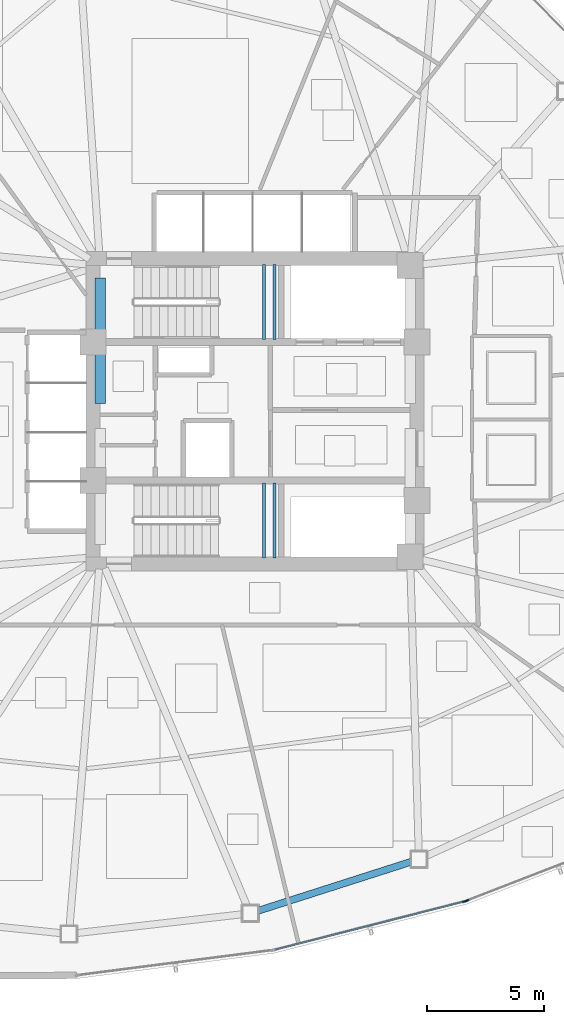
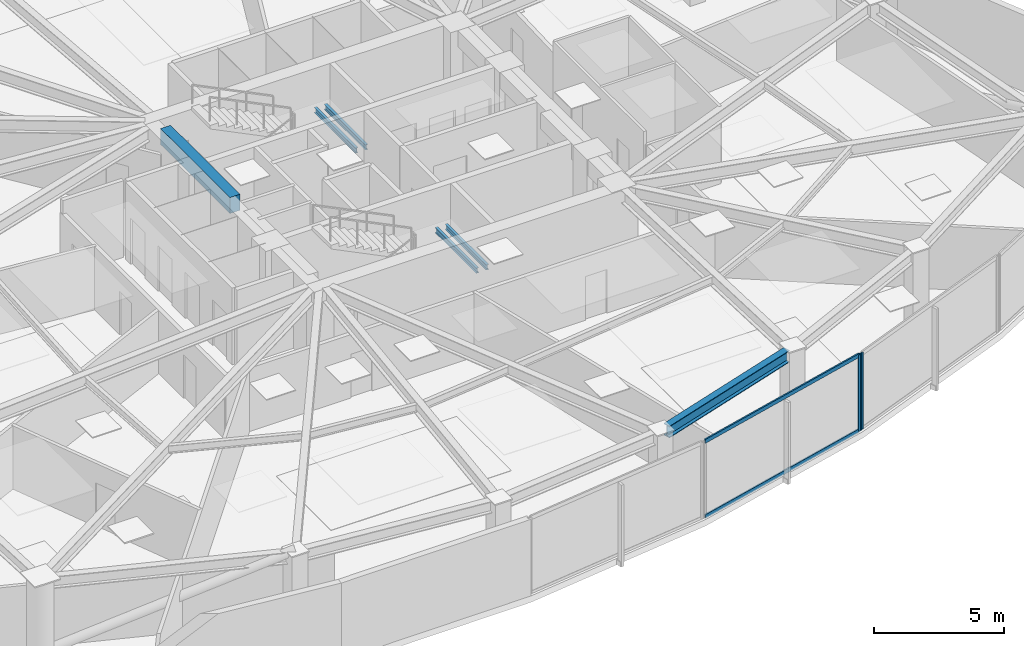
# One storey, part 5 of 17: 6 beams, 4 members, 2 elements without a shape of their own.
"""IFC4 building model written with IfcOpenShell, lengths in metres."""

from ifc_helpers import new_model, si_unit, direction, frame, origin, origin_2d, place, context, subcontext, project, spatial, rectangle, hollow_rectangle, i_section, extrude, source, transform, mapped, material, layer, layer_set, material_profile, profile_set, type_object, type_shapes, element, aggregate, save


model = new_model("IFC4")

# Units and contexts
model_context = context("Model", 3, precision=1e-05, world=origin(), true_north=direction((0.0, 1.0)))
body_context = subcontext(model_context, "Body", "Model", "MODEL_VIEW")
ifc_project = project(units=[si_unit("LENGTHUNIT", "METRE"), si_unit("AREAUNIT", "SQUARE_METRE"), si_unit("VOLUMEUNIT", "CUBIC_METRE"), si_unit("PLANEANGLEUNIT", "RADIAN"), si_unit("MASSUNIT", "GRAM", prefix="KILO")], contexts=[model_context])

# Site, building, storey
site_placement = place(None, origin())
site = spatial("IfcSite", under=ifc_project, at=site_placement, CompositionType="ELEMENT")
building_placement = place(site_placement, origin())
building = spatial("IfcBuilding", under=site, at=building_placement, Name="Tavelor Broadcast Tower", CompositionType="ELEMENT")
storey_placement = place(building_placement, frame((0.0, 0.0, 70.5)))
storey = spatial("IfcBuildingStorey", under=building, at=storey_placement, Name="L16", CompositionType="ELEMENT", Elevation=70.5)

# Beams
ifc_material_1 = material(Name="Concrete C40/50", Category="concrete")
ifc_material_profile_1 = material_profile(ifc_material_1, rectangle(XDim=0.449951171875, YDim=0.75, at=origin_2d()), Name="RC 450x750")
ifc_profile_set_1 = profile_set([ifc_material_profile_1], Name="Concrete C40/50")
beam_type_1 = type_object("IfcBeamType", Name="Basement Core Trim Beam 450x750", PredefinedType="BEAM", material=ifc_profile_set_1)
beam_1_placement = place(storey_placement, frame((43.39990234375, 45.327880859375, 3.22509765625), z_axis=(0.0, 1.0, 0.0), x_axis=(-1.0, 0.0, 0.0)))
element("IfcBeam", 1, at=beam_1_placement, inside=storey, type_object=beam_type_1, Name="L16 Core West-N Tie Girder", PredefinedType="BEAM", context=body_context, shape_type="SweptSolid", body=[
    extrude(rectangle(XDim=0.449951171875, YDim=0.75, at=origin_2d()), origin(), (0.0, 0.0, 1.0), 5.34423828125),
])
ifc_material_2 = material(Name="Steel S355", Category="steel")
ifc_material_profile_2 = material_profile(ifc_material_2, i_section(OverallWidth=0.300048828125, OverallDepth=0.550048828125, WebThickness=0.014892578125, FlangeThickness=0.029052734375, at=origin_2d()), Name="HEB 550")
ifc_profile_set_2 = profile_set([ifc_material_profile_2], Name="Steel S355")
beam_type_2 = type_object("IfcBeamType", Name="Perimeter Spandrel Beam T2 HEB 550", PredefinedType="SPANDREL", material=ifc_profile_set_2)
beam_2_placement = place(storey_placement, frame((50.106689453125, 23.720458984375, 3.324951171875), z_axis=(0.952297103541, 0.305172453849, 0.0), x_axis=(-0.305172453849, 0.952297103541, 0.0)))
element("IfcBeam", 2, at=beam_2_placement, inside=storey, type_object=beam_type_2, Name="L16 Framed-Tube Ring Spandrel 10", PredefinedType="SPANDREL", context=body_context, shape_type="SweptSolid", body=[
    extrude(i_section(OverallWidth=0.300048828125, OverallDepth=0.550048828125, WebThickness=0.014892578125, FlangeThickness=0.029052734375, at=origin_2d()), origin(), (0.0, 0.0, 1.0), 6.876953125),
])
ifc_material_profile_3 = material_profile(ifc_material_2, i_section(OverallWidth=0.1201171875, OverallDepth=0.239990234375, WebThickness=0.006103515625, FlangeThickness=0.009765625, at=origin_2d()), Name="IPE 240")
ifc_profile_set_3 = profile_set([ifc_material_profile_3], Name="Steel S355")
beam_type_3 = type_object("IfcBeamType", Name="Stairwell Landing Support Trimmer Beam IPE240", PredefinedType="BEAM", material=ifc_profile_set_3)
for number, where, z_axis, x_axis, name in (
    (3, (50.385009765625, 48.06005859375, 1.635009765625), (0.0, 1.0, 0.0), (-1.0, 0.0, 0.0), "L16 Stair Landing Support Beam 57"),
    (4, (50.824951171875, 48.06005859375, 1.635009765625), (0.0, 1.0, 0.0), (-1.0, 0.0, 0.0), "L16 Stair Landing Support Beam 58"),
    (5, (50.385009765625, 38.760009765625, 1.635009765625), (0.0, 1.0, 0.0), (-1.0, 0.0, 0.0), "L16 Stair Landing Support Beam 271"),
    (6, (50.824951171875, 38.760009765625, 1.635009765625), (0.0, 1.0, 0.0), (-1.0, 0.0, 0.0), "L16 Stair Landing Support Beam 272"),
):
    element("IfcBeam", number, at=place(storey_placement, frame(where, z_axis=z_axis, x_axis=x_axis)), inside=storey, type_object=beam_type_3, Name=name, PredefinedType="BEAM", context=body_context, shape_type="SweptSolid", body=[
        extrude(i_section(OverallWidth=0.1201171875, OverallDepth=0.239990234375, WebThickness=0.006103515625, FlangeThickness=0.009765625, at=origin_2d()), origin(), (0.0, 0.0, 1.0), 3.179931640625),
    ])

# Curtain wall, member
ifc_material_3 = material(Name="Architectural Anodized Aluminium", Category="aluminium")
ifc_layer = layer(ifc_material_3, 0.179931640625)
ifc_layer_set = layer_set([ifc_layer], Name="Architectural Anodized Aluminium")
curtain_wall_type = type_object("IfcCurtainWallType", Name="Tower Low-Zone Unitised Curtain Wall CW02", PredefinedType="NOTDEFINED", material=ifc_layer_set)
curtain_wall_1_placement = place(storey_placement, origin())
curtain_wall_1 = element("IfcCurtainWall", 7, at=curtain_wall_1_placement, inside=storey, type_object=curtain_wall_type, Name="L16 Curtain Wall CW02 Run 150", PredefinedType="NOTDEFINED")
ifc_material_profile_4 = material_profile(ifc_material_3, hollow_rectangle(XDim=0.06494140625, YDim=0.179931640625, WallThickness=0.02197265625, at=origin_2d()), Name="RHS 65x180x22")
ifc_profile_set_4 = profile_set([ifc_material_profile_4], Name="Architectural Anodized Aluminium")
member_type_1 = type_object("IfcMemberType", Name="CW02 Extruded Aluminium Mullion 65x180", PredefinedType="MULLION", material=ifc_profile_set_4)
shared_shape_1 = source(origin(), body_context, "Body", "SweptSolid", [
    extrude(hollow_rectangle(XDim=0.06494140625, YDim=0.179931640625, WallThickness=0.02197265625, at=origin_2d()), origin(), (0.0, 0.0, 1.0), 3.60009765625),
])
type_shapes(member_type_1, [shared_shape_1])
member_1_placement = place(storey_placement, frame((58.9189453125, 24.12548828125, 0.0), z_axis=(0.0, 0.0, 1.0), x_axis=(-0.246575023784, 0.969123706059, 0.0)))
member_1 = element("IfcMember", 8, at=member_1_placement, type_object=member_type_1, Name="CW02 mullion 2", PredefinedType="MULLION", context=body_context, shape_type="MappedRepresentation", body=[
    mapped(shared_shape_1, transform((0.0, 0.0, 0.0), scale=1.0)),
])

curtain_wall_2_placement = place(storey_placement, origin())
curtain_wall_2 = element("IfcCurtainWall", 9, at=curtain_wall_2_placement, inside=storey, type_object=curtain_wall_type, Name="L16 Curtain Wall CW02 Run 151", PredefinedType="NOTDEFINED")
member_2_placement = place(storey_placement, frame((59.00927734375, 24.154541015625, 0.0), z_axis=(0.0, 0.0, 1.0), x_axis=(-0.362049564283, 0.93215884537, 0.0)))
member_2 = element("IfcMember", 10, at=member_2_placement, type_object=member_type_1, Name="CW02 mullion 1", PredefinedType="MULLION", context=body_context, shape_type="MappedRepresentation", body=[
    mapped(shared_shape_1, transform((0.0, 0.0, 0.0), scale=1.0)),
])
aggregate(curtain_wall_2, [member_2])

# Member
ifc_material_profile_5 = material_profile(ifc_material_3, hollow_rectangle(XDim=0.06494140625, YDim=0.179931640625, WallThickness=0.02197265625, at=origin_2d()), Name="RHS 65x180x22")
ifc_profile_set_5 = profile_set([ifc_material_profile_5], Name="Architectural Anodized Aluminium")
member_type_2 = type_object("IfcMemberType", Name="CW02 Extruded Aluminium Transom 65x180", PredefinedType="USERDEFINED", material=ifc_profile_set_5)
shared_shape_2 = source(origin(), body_context, "Body", "SweptSolid", [
    extrude(hollow_rectangle(XDim=0.06494140625, YDim=0.179931640625, WallThickness=0.02197265625, at=origin_2d()), origin(), (0.0, 0.0, 1.0), 8.28857421875),
])
type_shapes(member_type_2, [shared_shape_2])
member_3_placement = place(storey_placement, frame((50.854736328125, 22.07373046875, 0.032470703125), z_axis=(0.9691186783, 0.246594783744, 0.0), x_axis=(-0.246594783744, 0.9691186783, 0.0)))
member_3 = element("IfcMember", 11, at=member_3_placement, type_object=member_type_2, Name="CW02 transom 1.1", ObjectType="TRANSOM", PredefinedType="USERDEFINED", context=body_context, shape_type="MappedRepresentation", body=[
    mapped(shared_shape_2, transform((0.0, 0.0, 0.0), scale=1.0)),
])

member_4_placement = place(storey_placement, frame((50.854736328125, 22.07373046875, 3.5673828125), z_axis=(0.9691186783, 0.246594783744, 0.0), x_axis=(-0.246594783744, 0.9691186783, 0.0)))
member_4 = element("IfcMember", 12, at=member_4_placement, type_object=member_type_2, Name="CW02 transom 1.2", ObjectType="TRANSOM", PredefinedType="USERDEFINED", context=body_context, shape_type="MappedRepresentation", body=[
    mapped(shared_shape_2, transform((0.0, 0.0, 0.0), scale=1.0)),
])

aggregate(curtain_wall_1, [member_1, member_3, member_4])

save(model, "model.ifc")
